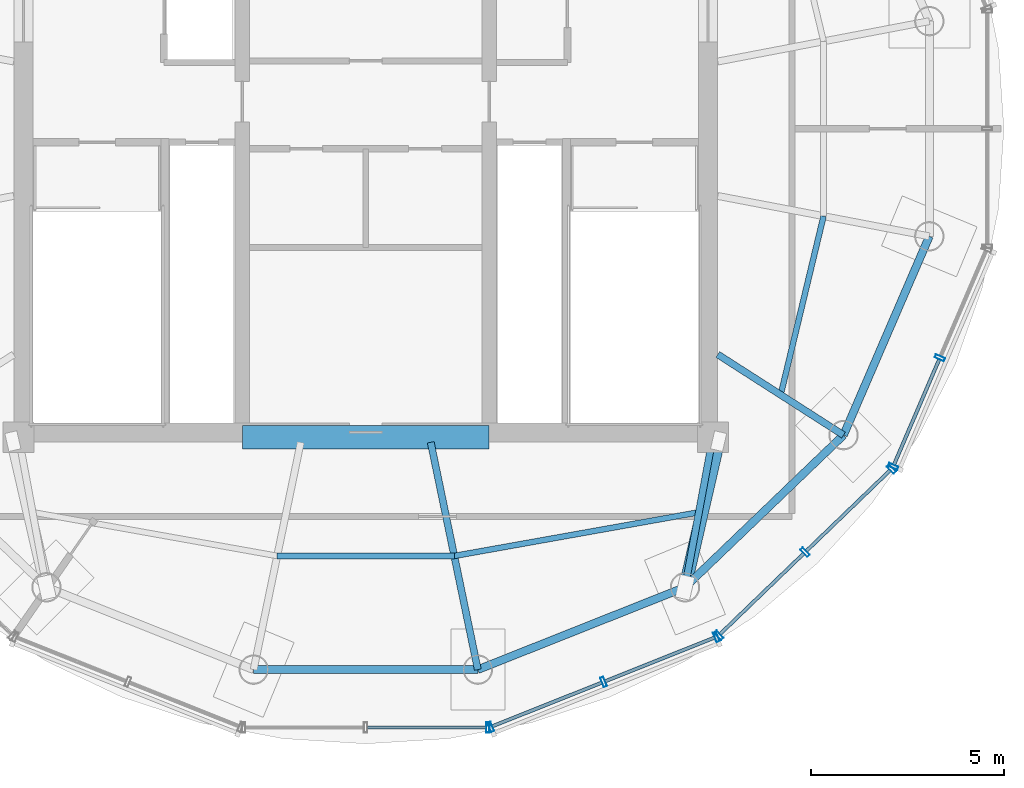
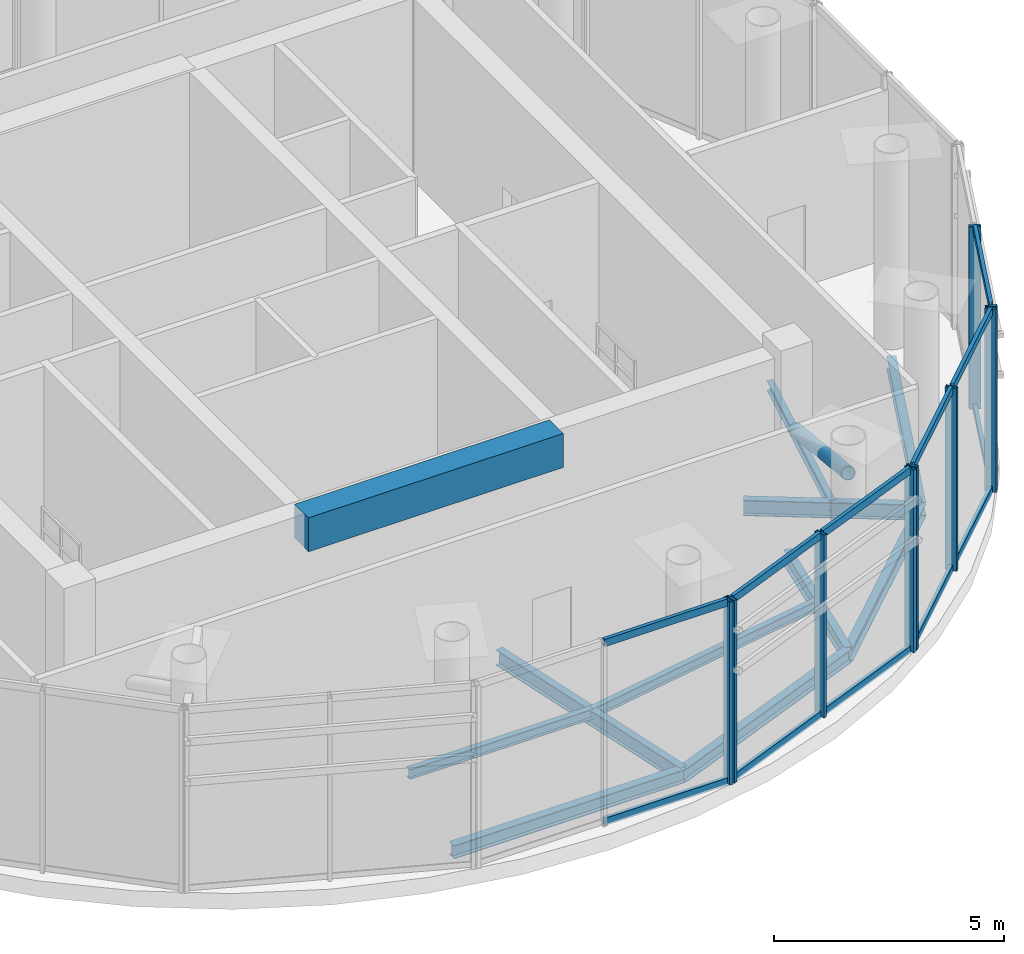
# One storey, part 4 of 13: 22 members, 11 beams, 4 elements without a shape of their own.
"""IFC4 building model written with IfcOpenShell, lengths in metres."""

from ifc_helpers import new_model, si_unit, direction, frame, origin, origin_2d, place, context, subcontext, project, spatial, rectangle, hollow_rectangle, hollow_circle, i_section, extrude, source, transform, mapped, material, material_profile, profile_set, type_object, element, aggregate, save


model = new_model("IFC4")

# Units and contexts
model_context = context("Model", 3, precision=1e-05, world=origin(), true_north=direction((-0.2419218956, 0.970295726276)))
body_context = subcontext(model_context, "Body", "Model", "MODEL_VIEW")
ifc_project = project(units=[si_unit("LENGTHUNIT", "METRE"), si_unit("AREAUNIT", "SQUARE_METRE"), si_unit("VOLUMEUNIT", "CUBIC_METRE"), si_unit("PLANEANGLEUNIT", "RADIAN"), si_unit("MASSUNIT", "GRAM", prefix="KILO")], contexts=[model_context])

# Site, building, storey
site_placement = place(None, origin())
site = spatial("IfcSite", under=ifc_project, at=site_placement, CompositionType="ELEMENT")
building_placement = place(site_placement, origin())
building = spatial("IfcBuilding", under=site, at=building_placement, Name="Cobrevalo Terracotta Tower", CompositionType="ELEMENT")
storey_placement = place(building_placement, frame((0.0, 0.0, 332.10009765625)))
storey = spatial("IfcBuildingStorey", under=building, at=storey_placement, Name="L85", CompositionType="ELEMENT", Elevation=332.10009765625)

# Beams
ifc_material_1 = material(Name="Concrete C60", Category="concrete")
ifc_material_profile_1 = material_profile(ifc_material_1, rectangle(XDim=0.60009765625, YDim=0.89990234375, at=origin_2d()), Name="RC CB 600x900")
ifc_profile_set_1 = profile_set([ifc_material_profile_1], Name="Concrete C60")
beam_type_1 = type_object("IfcBeamType", Name="Structural Beam RC CB 600x900 (Concrete C60)", PredefinedType="BEAM", material=ifc_profile_set_1)
beam_1_placement = place(storey_placement, frame((34.800048828125, 18.800048828125, 4.39990234375), z_axis=(1.0, 0.0, 0.0), x_axis=(0.0, 1.0, 0.0)))
element("IfcBeam", 1, at=beam_1_placement, inside=storey, type_object=beam_type_1, Name="L85 core coupling beam 1", PredefinedType="BEAM", context=body_context, shape_type="SweptSolid", body=[
    extrude(rectangle(XDim=0.60009765625, YDim=0.89990234375, at=origin_2d()), origin(), (0.0, 0.0, 1.0), 6.39990234375),
])
ifc_material_2 = material(Name="Steel S355", Category="steel")
ifc_material_profile_2 = material_profile(ifc_material_2, i_section(OverallWidth=0.179931640625, OverallDepth=0.4130859375, WebThickness=0.009765625, FlangeThickness=0.01611328125, at=origin_2d()), Name="W 410x75")
ifc_profile_set_2 = profile_set([ifc_material_profile_2], Name="Steel S355")
beam_type_2 = type_object("IfcBeamType", Name="Structural Beam W 410x75 (Steel S355)", PredefinedType="BEAM", material=ifc_profile_set_2)
beam_2_placement = place(storey_placement, frame((40.90673828125, 12.774658203125, -0.626708984375), z_axis=(-0.202919370173, 0.979195449953, 0.0), x_axis=(-0.979195449953, -0.202919370173, 0.0)))
element("IfcBeam", 2, at=beam_2_placement, inside=storey, type_object=beam_type_2, Name="L85 radial floor girder 13", PredefinedType="BEAM", context=body_context, shape_type="SweptSolid", body=[
    extrude(i_section(OverallWidth=0.179931640625, OverallDepth=0.4130859375, WebThickness=0.009765625, FlangeThickness=0.01611328125, at=origin_2d()), origin(), (0.0, 0.0, 1.0), 6.0205078125),
])
beam_3_placement = place(storey_placement, frame((46.278076171875, 14.909912109375, -0.626708984375), z_axis=(0.182462670706, 0.983212781548, 0.0), x_axis=(-0.983212781548, 0.182462670706, 0.0)))
element("IfcBeam", 3, at=beam_3_placement, inside=storey, type_object=beam_type_2, Name="L85 radial floor girder 14", PredefinedType="BEAM", context=body_context, shape_type="SweptSolid", body=[
    extrude(i_section(OverallWidth=0.179931640625, OverallDepth=0.4130859375, WebThickness=0.009765625, FlangeThickness=0.01611328125, at=origin_2d()), origin(), (0.0, 0.0, 1.0), 3.95654296875),
])
beam_4_placement = place(storey_placement, frame((50.388916015625, 18.855224609375, -0.626708984375), z_axis=(-0.841794646381, 0.539797900444, 0.0), x_axis=(-0.539797900444, -0.841794646381, 0.0)))
element("IfcBeam", 4, at=beam_4_placement, inside=storey, type_object=beam_type_2, Name="L85 radial floor girder 15", PredefinedType="BEAM", context=body_context, shape_type="SweptSolid", body=[
    extrude(i_section(OverallWidth=0.179931640625, OverallDepth=0.4130859375, WebThickness=0.009765625, FlangeThickness=0.01611328125, at=origin_2d()), origin(), (0.0, 0.0, 1.0), 3.87158203125),
])
ifc_material_profile_3 = material_profile(ifc_material_2, i_section(OverallWidth=0.14794921875, OverallDepth=0.26611328125, WebThickness=0.007568359375, FlangeThickness=0.012939453125, at=origin_2d()), Name="W 250x44.8")
ifc_profile_set_3 = profile_set([ifc_material_profile_3], Name="Steel S355")
beam_type_3 = type_object("IfcBeamType", Name="Structural Joist W 250x44.8 (Steel S355)", PredefinedType="JOIST", material=ifc_profile_set_3)
beam_5_placement = place(storey_placement, frame((35.7041015625, 15.722412109375, -0.552978515625), z_axis=(1.0, 0.0, 0.0), x_axis=(0.0, 1.0, 0.0)))
element("IfcBeam", 5, at=beam_5_placement, inside=storey, type_object=beam_type_3, Name="L85 circumferential secondary floor joist 12", PredefinedType="JOIST", context=body_context, shape_type="SweptSolid", body=[
    extrude(i_section(OverallWidth=0.14794921875, OverallDepth=0.26611328125, WebThickness=0.007568359375, FlangeThickness=0.012939453125, at=origin_2d()), origin(), (0.0, 0.0, 1.0), 4.591796875),
])
beam_6_placement = place(storey_placement, frame((40.2958984375, 15.722412109375, -0.552978515625), z_axis=(0.984430619707, 0.175773590117, 0.0), x_axis=(-0.175773590117, 0.984430619707, 0.0)))
element("IfcBeam", 6, at=beam_6_placement, inside=storey, type_object=beam_type_3, Name="L85 circumferential secondary floor joist 13", PredefinedType="JOIST", context=body_context, shape_type="SweptSolid", body=[
    extrude(i_section(OverallWidth=0.14794921875, OverallDepth=0.26611328125, WebThickness=0.007568359375, FlangeThickness=0.012939453125, at=origin_2d()), origin(), (0.0, 0.0, 1.0), 6.443359375),
])
beam_7_placement = place(storey_placement, frame((48.759521484375, 19.900146484375, -0.552978515625), z_axis=(0.233423333819, 0.972375209078, 0.0), x_axis=(-0.972375209078, 0.233423333819, 0.0)))
element("IfcBeam", 7, at=beam_7_placement, inside=storey, type_object=beam_type_3, Name="L85 circumferential secondary floor joist 15", PredefinedType="JOIST", context=body_context, shape_type="SweptSolid", body=[
    extrude(i_section(OverallWidth=0.14794921875, OverallDepth=0.26611328125, WebThickness=0.007568359375, FlangeThickness=0.012939453125, at=origin_2d()), origin(), (0.0, 0.0, 1.0), 4.76513671875),
])
ifc_material_profile_4 = material_profile(ifc_material_2, i_section(OverallWidth=0.205078125, OverallDepth=0.35400390625, WebThickness=0.009521484375, FlangeThickness=0.016845703125, at=origin_2d()), Name="W 360x79")
ifc_profile_set_4 = profile_set([ifc_material_profile_4], Name="Steel S355")
beam_type_4 = type_object("IfcBeamType", Name="Structural Spandrel W 360x79 (Steel S355)", PredefinedType="SPANDREL", material=ifc_profile_set_4)
beam_8_placement = place(storey_placement, frame((35.09326171875, 12.774658203125, -0.59716796875), z_axis=(1.0, 0.0, 0.0), x_axis=(0.0, 1.0, 0.0)))
element("IfcBeam", 8, at=beam_8_placement, inside=storey, type_object=beam_type_4, Name="L85 perimeter ring spandrel 12", PredefinedType="SPANDREL", context=body_context, shape_type="SweptSolid", body=[
    extrude(i_section(OverallWidth=0.205078125, OverallDepth=0.35400390625, WebThickness=0.009521484375, FlangeThickness=0.016845703125, at=origin_2d()), origin(), (0.0, 0.0, 1.0), 5.8134765625),
])
beam_9_placement = place(storey_placement, frame((40.90673828125, 12.774658203125, -0.59716796875), z_axis=(0.929266894942, 0.369409038824, 0.0), x_axis=(-0.369409038824, 0.929266894942, 0.0)))
element("IfcBeam", 9, at=beam_9_placement, inside=storey, type_object=beam_type_4, Name="L85 perimeter ring spandrel 13", PredefinedType="SPANDREL", context=body_context, shape_type="SweptSolid", body=[
    extrude(i_section(OverallWidth=0.205078125, OverallDepth=0.35400390625, WebThickness=0.009521484375, FlangeThickness=0.016845703125, at=origin_2d()), origin(), (0.0, 0.0, 1.0), 5.7802734375),
])
beam_10_placement = place(storey_placement, frame((46.278076171875, 14.909912109375, -0.59716796875), z_axis=(0.72148321486, 0.69243192494, 0.0), x_axis=(-0.69243192494, 0.72148321486, 0.0)))
element("IfcBeam", 10, at=beam_10_placement, inside=storey, type_object=beam_type_4, Name="L85 perimeter ring spandrel 14", PredefinedType="SPANDREL", context=body_context, shape_type="SweptSolid", body=[
    extrude(i_section(OverallWidth=0.205078125, OverallDepth=0.35400390625, WebThickness=0.009521484375, FlangeThickness=0.016845703125, at=origin_2d()), origin(), (0.0, 0.0, 1.0), 5.69775390625),
])
beam_11_placement = place(storey_placement, frame((50.388916015625, 18.855224609375, -0.59716796875), z_axis=(0.396258594602, 0.918138947112, 0.0), x_axis=(-0.918138947112, 0.396258594602, 0.0)))
element("IfcBeam", 11, at=beam_11_placement, inside=storey, type_object=beam_type_4, Name="L85 perimeter ring spandrel 15", PredefinedType="SPANDREL", context=body_context, shape_type="SweptSolid", body=[
    extrude(i_section(OverallWidth=0.205078125, OverallDepth=0.35400390625, WebThickness=0.009521484375, FlangeThickness=0.016845703125, at=origin_2d()), origin(), (0.0, 0.0, 1.0), 5.61474609375),
])

# Member
ifc_material_profile_5 = material_profile(ifc_material_2, hollow_circle(Radius=0.162109375, WallThickness=0.013916015625, at=origin_2d()), Name="CHS 324x14")
ifc_profile_set_5 = profile_set([ifc_material_profile_5], Name="Steel S355")
member_type_1 = type_object("IfcMemberType", Name="Steel Brace CHS 324x14 (Steel S355)", PredefinedType="BRACE", material=ifc_profile_set_5)
shared_shape_1 = source(origin(), body_context, "Body", "SweptSolid", [
    extrude(hollow_circle(Radius=0.162109375, WallThickness=0.013916015625, at=origin_2d()), origin(), (0.0, 0.0, 1.0), 4.150634765625),
])
member_1_placement = place(storey_placement, frame((47.14990234375, 18.699951171875, 2.75), z_axis=(-0.210052159385, -0.913147499943, 0.349341857908), x_axis=(0.974548603832, -0.224176311794, 0.0)))
element("IfcMember", 12, at=member_1_placement, inside=storey, type_object=member_type_1, Name="L85 CROWN FRAME radial brace 04", PredefinedType="BRACE", context=body_context, shape_type="MappedRepresentation", body=[
    mapped(shared_shape_1, transform((0.0, 0.0, 0.0), scale=1.0)),
])

# Curtain wall, members
ifc_material_3 = material(Name="Anodized aluminium", Category="aluminium")
curtain_wall_type = type_object("IfcCurtainWallType", Name="Faceted glass-point crown structural glazing system CW-CR", PredefinedType="NOTDEFINED", material=ifc_material_3)
curtain_wall_1_placement = place(storey_placement, origin())
curtain_wall_1 = element("IfcCurtainWall", 13, at=curtain_wall_1_placement, inside=storey, type_object=curtain_wall_type, Name="L85 curtain wall CW-CRN-L85-S15", PredefinedType="NOTDEFINED")
ifc_material_profile_6 = material_profile(ifc_material_3, hollow_rectangle(XDim=0.090087890625, YDim=0.195068359375, WallThickness=0.005615234375, at=origin_2d()), Name="CWT 90x195")
ifc_profile_set_6 = profile_set([ifc_material_profile_6], Name="Anodized aluminium")
member_type_2 = type_object("IfcMemberType", Name="Crown structural aluminium transom 90x195", PredefinedType="USERDEFINED", material=ifc_profile_set_6)
shared_shape_2 = source(origin(), body_context, "Body", "SweptSolid", [
    extrude(hollow_rectangle(XDim=0.090087890625, YDim=0.195068359375, WallThickness=0.005615234375, at=origin_2d()), origin(), (0.0, 0.0, 1.0), 2.985595703125),
])
member_2_placement = place(storey_placement, frame((51.692626953125, 18.078857421875, 0.0498046875), z_axis=(0.39495528775, 0.918700343245, 0.0), x_axis=(-0.918700343245, 0.39495528775, 0.0)))
member_2 = element("IfcMember", 14, at=member_2_placement, type_object=member_type_2, Name="CW-CRN-L85-S15 transom B01-T1", ObjectType="TRANSOM", PredefinedType="USERDEFINED", context=body_context, shape_type="MappedRepresentation", body=[
    mapped(shared_shape_2, transform((0.0, 0.0, 0.0), scale=1.0)),
])
member_3_placement = place(storey_placement, frame((51.692626953125, 18.078857421875, 4.7998046875), z_axis=(0.39495528775, 0.918700343245, 0.0), x_axis=(-0.918700343245, 0.39495528775, 0.0)))
member_3 = element("IfcMember", 15, at=member_3_placement, type_object=member_type_2, Name="CW-CRN-L85-S15 transom B01-T2", ObjectType="TRANSOM", PredefinedType="USERDEFINED", context=body_context, shape_type="MappedRepresentation", body=[
    mapped(shared_shape_2, transform((0.0, 0.0, 0.0), scale=1.0)),
])

curtain_wall_2_placement = place(storey_placement, origin())
curtain_wall_2 = element("IfcCurtainWall", 16, at=curtain_wall_2_placement, inside=storey, type_object=curtain_wall_type, Name="L85 curtain wall CW-CRN-L85-S14", PredefinedType="NOTDEFINED")
shared_shape_3 = source(origin(), body_context, "Body", "SweptSolid", [
    extrude(hollow_rectangle(XDim=0.090087890625, YDim=0.195068359375, WallThickness=0.005615234375, at=origin_2d()), origin(), (0.0, 0.0, 1.0), 3.027587890625),
])
member_4_placement = place(storey_placement, frame((47.185546875, 13.693359375, 0.0498046875), z_axis=(0.720129171854, 0.693840021795, 0.0), x_axis=(-0.693840021795, 0.720129171854, 0.0)))
member_4 = element("IfcMember", 17, at=member_4_placement, type_object=member_type_2, Name="CW-CRN-L85-S14 transom B01-T1", ObjectType="TRANSOM", PredefinedType="USERDEFINED", context=body_context, shape_type="MappedRepresentation", body=[
    mapped(shared_shape_3, transform((0.0, 0.0, 0.0), scale=1.0)),
])
member_5_placement = place(storey_placement, frame((47.185546875, 13.693359375, 4.7998046875), z_axis=(0.720129171854, 0.693840021795, 0.0), x_axis=(-0.693840021795, 0.720129171854, 0.0)))
member_5 = element("IfcMember", 18, at=member_5_placement, type_object=member_type_2, Name="CW-CRN-L85-S14 transom B01-T2", ObjectType="TRANSOM", PredefinedType="USERDEFINED", context=body_context, shape_type="MappedRepresentation", body=[
    mapped(shared_shape_3, transform((0.0, 0.0, 0.0), scale=1.0)),
])

curtain_wall_3_placement = place(storey_placement, origin())
curtain_wall_3 = element("IfcCurtainWall", 19, at=curtain_wall_3_placement, inside=storey, type_object=curtain_wall_type, Name="L85 curtain wall CW-CRN-L85-S13", PredefinedType="NOTDEFINED")
shared_shape_4 = source(origin(), body_context, "Body", "SweptSolid", [
    extrude(hollow_rectangle(XDim=0.090087890625, YDim=0.195068359375, WallThickness=0.005615234375, at=origin_2d()), origin(), (0.0, 0.0, 1.0), 3.068359375),
])
member_6_placement = place(storey_placement, frame((44.203857421875, 12.470947265625, 0.0498046875), z_axis=(0.928783665668, 0.370622317715, 0.0), x_axis=(-0.370622317715, 0.928783665668, 0.0)))
member_6 = element("IfcMember", 20, at=member_6_placement, type_object=member_type_2, Name="CW-CRN-L85-S13 transom B02-T1", ObjectType="TRANSOM", PredefinedType="USERDEFINED", context=body_context, shape_type="MappedRepresentation", body=[
    mapped(shared_shape_4, transform((0.0, 0.0, 0.0), scale=1.0)),
])
member_7_placement = place(storey_placement, frame((44.203857421875, 12.470947265625, 4.7998046875), z_axis=(0.928783665668, 0.370622317715, 0.0), x_axis=(-0.370622317715, 0.928783665668, 0.0)))
member_7 = element("IfcMember", 21, at=member_7_placement, type_object=member_type_2, Name="CW-CRN-L85-S13 transom B02-T2", ObjectType="TRANSOM", PredefinedType="USERDEFINED", context=body_context, shape_type="MappedRepresentation", body=[
    mapped(shared_shape_4, transform((0.0, 0.0, 0.0), scale=1.0)),
])
shared_shape_5 = source(origin(), body_context, "Body", "SweptSolid", [
    extrude(hollow_rectangle(XDim=0.090087890625, YDim=0.195068359375, WallThickness=0.005615234375, at=origin_2d()), origin(), (0.0, 0.0, 1.0), 3.068603515625),
])
member_8_placement = place(storey_placement, frame((41.279541015625, 11.3037109375, 0.0498046875), z_axis=(0.928767206697, 0.370663561419, 0.0), x_axis=(-0.370663561419, 0.928767206697, 0.0)))
member_8 = element("IfcMember", 22, at=member_8_placement, type_object=member_type_2, Name="CW-CRN-L85-S13 transom B01-T1", ObjectType="TRANSOM", PredefinedType="USERDEFINED", context=body_context, shape_type="MappedRepresentation", body=[
    mapped(shared_shape_5, transform((0.0, 0.0, 0.0), scale=1.0)),
])
member_9_placement = place(storey_placement, frame((41.279541015625, 11.3037109375, 4.7998046875), z_axis=(0.928767206697, 0.370663561419, 0.0), x_axis=(-0.370663561419, 0.928767206697, 0.0)))
member_9 = element("IfcMember", 23, at=member_9_placement, type_object=member_type_2, Name="CW-CRN-L85-S13 transom B01-T2", ObjectType="TRANSOM", PredefinedType="USERDEFINED", context=body_context, shape_type="MappedRepresentation", body=[
    mapped(shared_shape_5, transform((0.0, 0.0, 0.0), scale=1.0)),
])

curtain_wall_4_placement = place(storey_placement, origin())
curtain_wall_4 = element("IfcCurtainWall", 24, at=curtain_wall_4_placement, inside=storey, type_object=curtain_wall_type, Name="L85 curtain wall CW-CRN-L85-S12", PredefinedType="NOTDEFINED")
shared_shape_6 = source(origin(), body_context, "Body", "SweptSolid", [
    extrude(hollow_rectangle(XDim=0.090087890625, YDim=0.195068359375, WallThickness=0.005615234375, at=origin_2d()), origin(), (0.0, 0.0, 1.0), 3.085205078125),
])
member_10_placement = place(storey_placement, frame((38.0400390625, 11.274169921875, 0.0498046875), z_axis=(1.0, 0.0, 0.0), x_axis=(0.0, 1.0, 0.0)))
member_10 = element("IfcMember", 25, at=member_10_placement, type_object=member_type_2, Name="CW-CRN-L85-S12 transom B02-T1", ObjectType="TRANSOM", PredefinedType="USERDEFINED", context=body_context, shape_type="MappedRepresentation", body=[
    mapped(shared_shape_6, transform((0.0, 0.0, 0.0), scale=1.0)),
])
member_11_placement = place(storey_placement, frame((38.0400390625, 11.274169921875, 4.7998046875), z_axis=(1.0, 0.0, 0.0), x_axis=(0.0, 1.0, 0.0)))
member_11 = element("IfcMember", 26, at=member_11_placement, type_object=member_type_2, Name="CW-CRN-L85-S12 transom B02-T2", ObjectType="TRANSOM", PredefinedType="USERDEFINED", context=body_context, shape_type="MappedRepresentation", body=[
    mapped(shared_shape_6, transform((0.0, 0.0, 0.0), scale=1.0)),
])

# Member
shared_shape_7 = source(origin(), body_context, "Body", "SweptSolid", [
    extrude(hollow_rectangle(XDim=0.090087890625, YDim=0.195068359375, WallThickness=0.005615234375, at=origin_2d()), origin(), (0.0, 0.0, 1.0), 3.02734375),
])
member_12_placement = place(storey_placement, frame((49.42333984375, 15.849365234375, 0.0498046875), z_axis=(0.72016946581, 0.693798198697, 0.0), x_axis=(-0.693798198697, 0.72016946581, 0.0)))
member_12 = element("IfcMember", 27, at=member_12_placement, type_object=member_type_2, Name="CW-CRN-L85-S14 transom B02-T1", ObjectType="TRANSOM", PredefinedType="USERDEFINED", context=body_context, shape_type="MappedRepresentation", body=[
    mapped(shared_shape_7, transform((0.0, 0.0, 0.0), scale=1.0)),
])

member_13_placement = place(storey_placement, frame((49.42333984375, 15.849365234375, 4.7998046875), z_axis=(0.72016946581, 0.693798198697, 0.0), x_axis=(-0.693798198697, 0.72016946581, 0.0)))
member_13 = element("IfcMember", 28, at=member_13_placement, type_object=member_type_2, Name="CW-CRN-L85-S14 transom B02-T2", ObjectType="TRANSOM", PredefinedType="USERDEFINED", context=body_context, shape_type="MappedRepresentation", body=[
    mapped(shared_shape_7, transform((0.0, 0.0, 0.0), scale=1.0)),
])

ifc_material_profile_7 = material_profile(ifc_material_3, hollow_rectangle(XDim=0.090087890625, YDim=0.260009765625, WallThickness=0.006103515625, at=origin_2d()), Name="CWM 90x260")
ifc_profile_set_7 = profile_set([ifc_material_profile_7], Name="Anodized aluminium")
member_type_3 = type_object("IfcMemberType", Name="Crown structural glass mullion 90x260", PredefinedType="MULLION", material=ifc_profile_set_7)
shared_shape_8 = source(origin(), body_context, "Body", "SweptSolid", [
    extrude(hollow_rectangle(XDim=0.090087890625, YDim=0.260009765625, WallThickness=0.006103515625, at=origin_2d()), origin(), (0.0, 0.0, 1.0), 4.849853515625),
])
member_14_placement = place(storey_placement, frame((41.165283203125, 11.274169921875, 0.0), z_axis=(0.0, 0.0, 1.0), x_axis=(1.0, 0.0, 0.0)))
member_14 = element("IfcMember", 29, at=member_14_placement, type_object=member_type_3, Name="CW-CRN-L85-S12 vertical mullion 03", PredefinedType="MULLION", context=body_context, shape_type="MappedRepresentation", body=[
    mapped(shared_shape_8, transform((0.0, 0.0, 0.0), scale=1.0)),
])

aggregate(curtain_wall_4, [member_14, member_10, member_11])

member_15_placement = place(storey_placement, frame((41.242431640625, 11.2890625, 0.0), z_axis=(0.0, 0.0, 1.0), x_axis=(0.928770743095, 0.370654700187, 0.0)))
member_15 = element("IfcMember", 30, at=member_15_placement, type_object=member_type_3, Name="CW-CRN-L85-S13 vertical mullion 01", PredefinedType="MULLION", context=body_context, shape_type="MappedRepresentation", body=[
    mapped(shared_shape_8, transform((0.0, 0.0, 0.0), scale=1.0)),
])

member_16_placement = place(storey_placement, frame((44.166748046875, 12.4560546875, 0.0), z_axis=(0.0, 0.0, 1.0), x_axis=(0.928770743095, 0.370654700187, 0.0)))
member_16 = element("IfcMember", 31, at=member_16_placement, type_object=member_type_3, Name="CW-CRN-L85-S13 vertical mullion 02", PredefinedType="MULLION", context=body_context, shape_type="MappedRepresentation", body=[
    mapped(shared_shape_8, transform((0.0, 0.0, 0.0), scale=1.0)),
])

member_17_placement = place(storey_placement, frame((47.0908203125, 13.623046875, 0.0), z_axis=(0.0, 0.0, 1.0), x_axis=(0.928770743095, 0.370654700187, 0.0)))
member_17 = element("IfcMember", 32, at=member_17_placement, type_object=member_type_3, Name="CW-CRN-L85-S13 vertical mullion 03", PredefinedType="MULLION", context=body_context, shape_type="MappedRepresentation", body=[
    mapped(shared_shape_8, transform((0.0, 0.0, 0.0), scale=1.0)),
])

aggregate(curtain_wall_3, [member_15, member_16, member_17, member_8, member_9, member_6, member_7])

member_18_placement = place(storey_placement, frame((47.15673828125, 13.66552734375, 0.0), z_axis=(0.0, 0.0, 1.0), x_axis=(0.72013951191, 0.693829289801, 0.0)))
member_18 = element("IfcMember", 33, at=member_18_placement, type_object=member_type_3, Name="CW-CRN-L85-S14 vertical mullion 01", PredefinedType="MULLION", context=body_context, shape_type="MappedRepresentation", body=[
    mapped(shared_shape_8, transform((0.0, 0.0, 0.0), scale=1.0)),
])

member_19_placement = place(storey_placement, frame((49.39453125, 15.821533203125, 0.0), z_axis=(0.0, 0.0, 1.0), x_axis=(0.72013951191, 0.693829289801, 0.0)))
member_19 = element("IfcMember", 34, at=member_19_placement, type_object=member_type_3, Name="CW-CRN-L85-S14 vertical mullion 02", PredefinedType="MULLION", context=body_context, shape_type="MappedRepresentation", body=[
    mapped(shared_shape_8, transform((0.0, 0.0, 0.0), scale=1.0)),
])

member_20_placement = place(storey_placement, frame((51.63232421875, 17.9775390625, 0.0), z_axis=(0.0, 0.0, 1.0), x_axis=(0.72013951191, 0.693829289801, 0.0)))
member_20 = element("IfcMember", 35, at=member_20_placement, type_object=member_type_3, Name="CW-CRN-L85-S14 vertical mullion 03", PredefinedType="MULLION", context=body_context, shape_type="MappedRepresentation", body=[
    mapped(shared_shape_8, transform((0.0, 0.0, 0.0), scale=1.0)),
])

aggregate(curtain_wall_2, [member_18, member_19, member_20, member_4, member_5, member_12, member_13])

member_21_placement = place(storey_placement, frame((51.6767578125, 18.0419921875, 0.0), z_axis=(0.0, 0.0, 1.0), x_axis=(0.394968347643, 0.918694728602, 0.0)))
member_21 = element("IfcMember", 36, at=member_21_placement, type_object=member_type_3, Name="CW-CRN-L85-S15 vertical mullion 01", PredefinedType="MULLION", context=body_context, shape_type="MappedRepresentation", body=[
    mapped(shared_shape_8, transform((0.0, 0.0, 0.0), scale=1.0)),
])

member_22_placement = place(storey_placement, frame((52.8876953125, 20.858642578125, 0.0), z_axis=(0.0, 0.0, 1.0), x_axis=(0.394968347643, 0.918694728602, 0.0)))
member_22 = element("IfcMember", 37, at=member_22_placement, type_object=member_type_3, Name="CW-CRN-L85-S15 vertical mullion 02", PredefinedType="MULLION", context=body_context, shape_type="MappedRepresentation", body=[
    mapped(shared_shape_8, transform((0.0, 0.0, 0.0), scale=1.0)),
])

aggregate(curtain_wall_1, [member_21, member_22, member_2, member_3])

save(model, "model.ifc")
